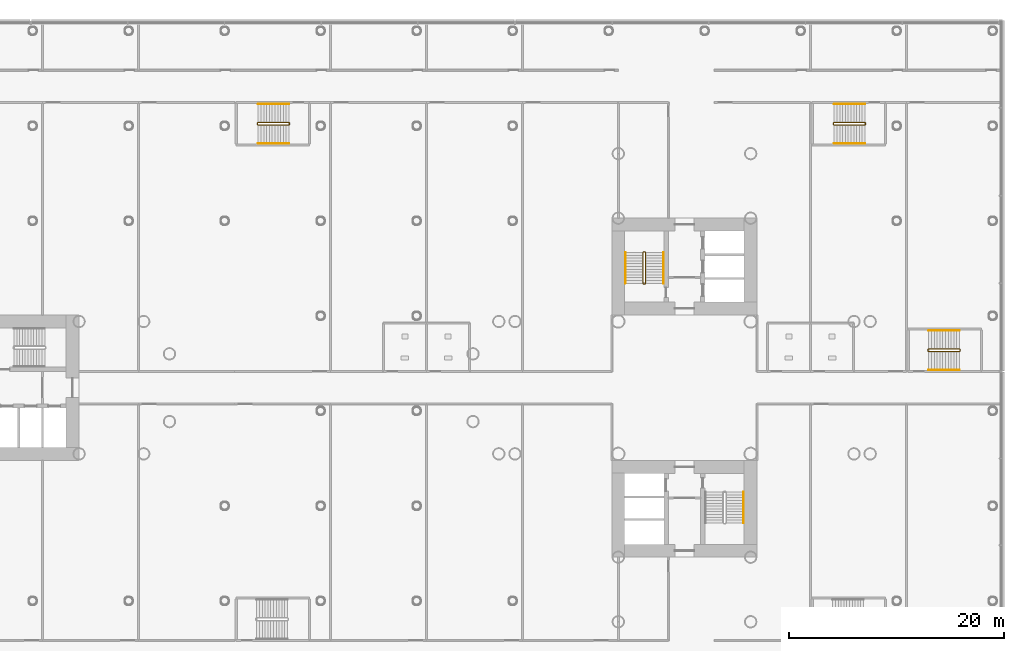
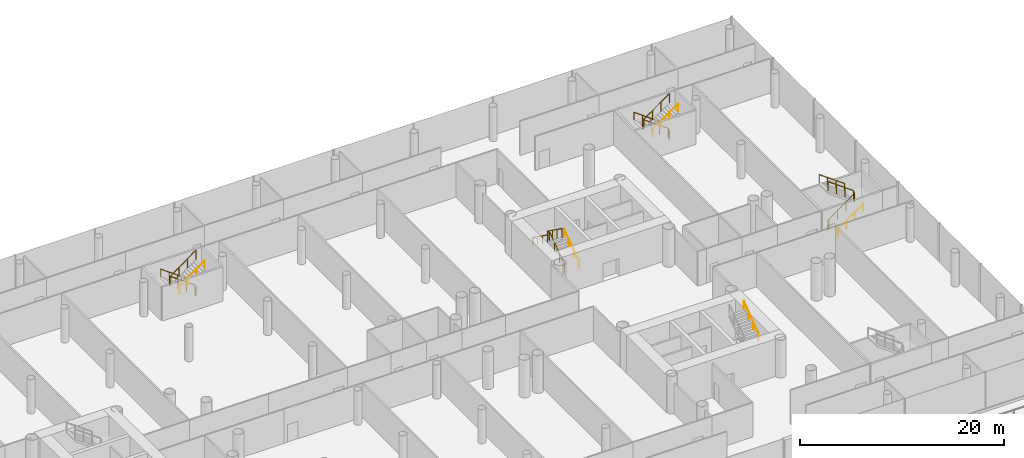
# One storey, part 48 of 49: 13 railings.
"""IFC4 building model written with IfcOpenShell, lengths in metres."""

from ifc_helpers import new_model, si_unit, direction, frame, origin, origin_2d, place, context, subcontext, project, spatial, circle, extrude, material, type_object, element, save


model = new_model("IFC4")

# Units and contexts
model_context = context("Model", 3, precision=1e-05, world=origin(), true_north=direction((0.0, 1.0)))
body_context = subcontext(model_context, "Body", "Model", "MODEL_VIEW")
ifc_project = project(units=[si_unit("LENGTHUNIT", "METRE"), si_unit("AREAUNIT", "SQUARE_METRE"), si_unit("VOLUMEUNIT", "CUBIC_METRE"), si_unit("PLANEANGLEUNIT", "RADIAN"), si_unit("MASSUNIT", "GRAM", prefix="KILO")], contexts=[model_context])

# Site, building, storey
site_placement = place(None, origin())
site = spatial("IfcSite", under=ifc_project, at=site_placement, CompositionType="ELEMENT")
building_placement = place(site_placement, origin())
building = spatial("IfcBuilding", under=site, at=building_placement, Name="Ipe Terrace Towers", CompositionType="ELEMENT")
storey_placement = place(building_placement, frame((0.0, 0.0, 20.0)))
storey = spatial("IfcBuildingStorey", under=building, at=storey_placement, Name="L04", CompositionType="ELEMENT", Elevation=20.0)

# Railings
ifc_material_1 = material(Name="Steel S355", Category="steel")
railing_type_1 = type_object("IfcRailingType", Name="Stair guard 1100", PredefinedType="GUARDRAIL", material=ifc_material_1)
railing_1_placement = place(storey_placement, frame((32.199951171875, 9.64990234375, 0.0)))
element("IfcRailing", 1, at=railing_1_placement, inside=storey, type_object=railing_type_1, Name="L04 T2-ST1 stair guard 1", PredefinedType="GUARDRAIL", context=body_context, shape_type="SweptSolid", body=[
    extrude(circle(Radius=0.02392578125, at=origin_2d()), frame((0.0, 0.0, 1.076171875), z_axis=(1.0, 0.0, 0.0), x_axis=(0.0, 1.0, 0.0)), (0.0, 0.0, 1.0), 0.150146484375),
    extrude(circle(Radius=0.02392578125, at=origin_2d()), frame((0.150146484375, 0.0, 1.076171875), z_axis=(0.248583702486, 0.249802250048, 0.935844527007), x_axis=(-0.708833529934, 0.705375805398, 0.0)), (0.0, 0.0, 1.0), 0.200439453125),
    extrude(circle(Radius=0.02392578125, at=origin_2d()), frame((0.199951171875, 0.050048828125, 1.263671875), z_axis=(0.0, 0.811100754333, 0.584906459462), x_axis=(-1.0, 0.0, 0.0)), (0.0, 0.0, 1.0), 3.526123046875),
    extrude(circle(Radius=0.02392578125, at=origin_2d()), frame((0.199951171875, 2.91015625, 3.326171875), z_axis=(-0.705375805398, 0.708833529934, 0.0), x_axis=(-0.708833529934, -0.705375805398, 0.0)), (0.0, 0.0, 1.0), 0.070556640625),
    extrude(circle(Radius=0.02392578125, at=origin_2d()), frame((0.150146484375, 2.960205078125, 3.326171875), z_axis=(-1.0, 0.0, 0.0), x_axis=(0.0, -1.0, 0.0)), (0.0, 0.0, 1.0), 0.150146484375),
    extrude(circle(Radius=0.02392578125, at=origin_2d()), frame((0.0, 2.960205078125, 3.326171875), z_axis=(-0.249726431254, -0.249726431254, 0.935560483917), x_axis=(0.707106781187, -0.707106781187, 0.0)), (0.0, 0.0, 1.0), 0.200439453125),
    extrude(circle(Radius=0.02392578125, at=origin_2d()), frame((-0.050048828125, 2.91015625, 3.513671875), z_axis=(0.0, -0.811100754333, 0.584906459462), x_axis=(1.0, 0.0, 0.0)), (0.0, 0.0, 1.0), 3.526123046875),
    extrude(circle(Radius=0.02099609375, at=origin_2d()), origin(), (0.0, 0.0, 1.0), 1.052001953125),
    extrude(circle(Radius=0.02099609375, at=origin_2d()), frame((0.150146484375, 0.0, 0.0)), (0.0, 0.0, 1.0), 1.052001953125),
    extrude(circle(Radius=0.02099609375, at=origin_2d()), frame((0.199951171875, 0.050048828125, 0.1875)), (0.0, 0.0, 1.0), 1.052001953125),
    extrude(circle(Radius=0.02099609375, at=origin_2d()), frame((0.199951171875, 1.00341796875, 0.875)), (0.0, 0.0, 1.0), 1.052001953125),
    extrude(circle(Radius=0.02099609375, at=origin_2d()), frame((0.199951171875, 1.956787109375, 1.5625)), (0.0, 0.0, 1.0), 1.052001953125),
    extrude(circle(Radius=0.02099609375, at=origin_2d()), frame((0.199951171875, 2.91015625, 2.25)), (0.0, 0.0, 1.0), 1.052001953125),
    extrude(circle(Radius=0.02099609375, at=origin_2d()), frame((0.150146484375, 2.960205078125, 2.25)), (0.0, 0.0, 1.0), 1.052001953125),
    extrude(circle(Radius=0.02099609375, at=origin_2d()), frame((0.0, 2.960205078125, 2.25)), (0.0, 0.0, 1.0), 1.052001953125),
    extrude(circle(Radius=0.02099609375, at=origin_2d()), frame((-0.050048828125, 2.91015625, 2.4375)), (0.0, 0.0, 1.0), 1.052001953125),
    extrude(circle(Radius=0.02099609375, at=origin_2d()), frame((-0.050048828125, 1.956787109375, 3.125)), (0.0, 0.0, 1.0), 1.052001953125),
    extrude(circle(Radius=0.02099609375, at=origin_2d()), frame((-0.050048828125, 1.00341796875, 3.8125)), (0.0, 0.0, 1.0), 1.052001953125),
    extrude(circle(Radius=0.02099609375, at=origin_2d()), frame((-0.050048828125, 0.050048828125, 4.5)), (0.0, 0.0, 1.0), 1.052001953125),
])
railing_2_placement = place(storey_placement, frame((-0.699951171875, 24.449951171875, 0.0)))
element("IfcRailing", 2, at=railing_2_placement, inside=storey, type_object=railing_type_1, Name="L04 PS2 stair guard 1", PredefinedType="GUARDRAIL", context=body_context, shape_type="SweptSolid", body=[
    extrude(circle(Radius=0.02392578125, at=origin_2d()), frame((0.0, 0.0, 1.076171875), z_axis=(0.0, 1.0, 0.0), x_axis=(-1.0, 0.0, 0.0)), (0.0, 0.0, 1.0), 0.150146484375),
    extrude(circle(Radius=0.02392578125, at=origin_2d()), frame((0.0, 0.150146484375, 1.076171875), z_axis=(-0.249802250048, 0.248583702486, 0.935844527007), x_axis=(-0.705375805398, -0.708833529934, 0.0)), (0.0, 0.0, 1.0), 0.200439453125),
    extrude(circle(Radius=0.02392578125, at=origin_2d()), frame((-0.050048828125, 0.199951171875, 1.263671875), z_axis=(-0.811100754333, 0.0, 0.584906459462), x_axis=(0.0, -1.0, 0.0)), (0.0, 0.0, 1.0), 3.526123046875),
    extrude(circle(Radius=0.02392578125, at=origin_2d()), frame((-2.91015625, 0.199951171875, 3.326171875), z_axis=(-0.707106781187, -0.707106781187, 0.0), x_axis=(0.707106781187, -0.707106781187, 0.0)), (0.0, 0.0, 1.0), 0.0703125),
    extrude(circle(Radius=0.02392578125, at=origin_2d()), frame((-2.9599609375, 0.150146484375, 3.326171875), z_axis=(0.0, -1.0, 0.0), x_axis=(1.0, 0.0, 0.0)), (0.0, 0.0, 1.0), 0.150146484375),
    extrude(circle(Radius=0.02392578125, at=origin_2d()), frame((-2.9599609375, 0.0, 3.326171875), z_axis=(0.248583702486, -0.249802250048, 0.935844527007), x_axis=(0.708833529934, 0.705375805398, 0.0)), (0.0, 0.0, 1.0), 0.200439453125),
    extrude(circle(Radius=0.02392578125, at=origin_2d()), frame((-2.91015625, -0.050048828125, 3.513671875), z_axis=(0.811100754333, 0.0, 0.584906459462), x_axis=(0.0, 1.0, 0.0)), (0.0, 0.0, 1.0), 3.526123046875),
    extrude(circle(Radius=0.02099609375, at=origin_2d()), origin(), (0.0, 0.0, 1.0), 1.052001953125),
    extrude(circle(Radius=0.02099609375, at=origin_2d()), frame((0.0, 0.150146484375, 0.0)), (0.0, 0.0, 1.0), 1.052001953125),
    extrude(circle(Radius=0.02099609375, at=origin_2d()), frame((-0.050048828125, 0.199951171875, 0.1875)), (0.0, 0.0, 1.0), 1.052001953125),
    extrude(circle(Radius=0.02099609375, at=origin_2d()), frame((-1.00341796875, 0.199951171875, 0.875)), (0.0, 0.0, 1.0), 1.052001953125),
    extrude(circle(Radius=0.02099609375, at=origin_2d()), frame((-1.956787109375, 0.199951171875, 1.5625)), (0.0, 0.0, 1.0), 1.052001953125),
    extrude(circle(Radius=0.02099609375, at=origin_2d()), frame((-2.91015625, 0.199951171875, 2.25)), (0.0, 0.0, 1.0), 1.052001953125),
    extrude(circle(Radius=0.02099609375, at=origin_2d()), frame((-2.9599609375, 0.150146484375, 2.25)), (0.0, 0.0, 1.0), 1.052001953125),
    extrude(circle(Radius=0.02099609375, at=origin_2d()), frame((-2.9599609375, 0.0, 2.25)), (0.0, 0.0, 1.0), 1.052001953125),
    extrude(circle(Radius=0.02099609375, at=origin_2d()), frame((-2.91015625, -0.050048828125, 2.4375)), (0.0, 0.0, 1.0), 1.052001953125),
    extrude(circle(Radius=0.02099609375, at=origin_2d()), frame((-1.956787109375, -0.050048828125, 3.125)), (0.0, 0.0, 1.0), 1.052001953125),
    extrude(circle(Radius=0.02099609375, at=origin_2d()), frame((-1.00341796875, -0.050048828125, 3.8125)), (0.0, 0.0, 1.0), 1.052001953125),
    extrude(circle(Radius=0.02099609375, at=origin_2d()), frame((-0.050048828125, -0.050048828125, 4.5)), (0.0, 0.0, 1.0), 1.052001953125),
])
railing_3_placement = place(storey_placement, frame((52.820068359375, 24.449951171875, 0.0)))
element("IfcRailing", 3, at=railing_3_placement, inside=storey, type_object=railing_type_1, Name="L04 PS3 stair guard 1", PredefinedType="GUARDRAIL", context=body_context, shape_type="SweptSolid", body=[
    extrude(circle(Radius=0.02392578125, at=origin_2d()), frame((0.0, 0.0, 1.076171875), z_axis=(0.0, 1.0, 0.0), x_axis=(-1.0, 0.0, 0.0)), (0.0, 0.0, 1.0), 0.150146484375),
    extrude(circle(Radius=0.02392578125, at=origin_2d()), frame((0.0, 0.150146484375, 1.076171875), z_axis=(-0.249802250048, 0.248583702486, 0.935844527007), x_axis=(-0.705375805398, -0.708833529934, 0.0)), (0.0, 0.0, 1.0), 0.200439453125),
    extrude(circle(Radius=0.02392578125, at=origin_2d()), frame((-0.050048828125, 0.199951171875, 1.263671875), z_axis=(-0.811100754333, 0.0, 0.584906459462), x_axis=(0.0, -1.0, 0.0)), (0.0, 0.0, 1.0), 3.526123046875),
    extrude(circle(Radius=0.02392578125, at=origin_2d()), frame((-2.91015625, 0.199951171875, 3.326171875), z_axis=(-0.707106781187, -0.707106781187, 0.0), x_axis=(0.707106781187, -0.707106781187, 0.0)), (0.0, 0.0, 1.0), 0.0703125),
    extrude(circle(Radius=0.02392578125, at=origin_2d()), frame((-2.9599609375, 0.150146484375, 3.326171875), z_axis=(0.0, -1.0, 0.0), x_axis=(1.0, 0.0, 0.0)), (0.0, 0.0, 1.0), 0.150146484375),
    extrude(circle(Radius=0.02392578125, at=origin_2d()), frame((-2.9599609375, 0.0, 3.326171875), z_axis=(0.248583702486, -0.249802250048, 0.935844527007), x_axis=(0.708833529934, 0.705375805398, 0.0)), (0.0, 0.0, 1.0), 0.200439453125),
    extrude(circle(Radius=0.02392578125, at=origin_2d()), frame((-2.91015625, -0.050048828125, 3.513671875), z_axis=(0.811100754333, 0.0, 0.584906459462), x_axis=(0.0, 1.0, 0.0)), (0.0, 0.0, 1.0), 3.526123046875),
    extrude(circle(Radius=0.02099609375, at=origin_2d()), origin(), (0.0, 0.0, 1.0), 1.052001953125),
    extrude(circle(Radius=0.02099609375, at=origin_2d()), frame((0.0, 0.150146484375, 0.0)), (0.0, 0.0, 1.0), 1.052001953125),
    extrude(circle(Radius=0.02099609375, at=origin_2d()), frame((-0.050048828125, 0.199951171875, 0.1875)), (0.0, 0.0, 1.0), 1.052001953125),
    extrude(circle(Radius=0.02099609375, at=origin_2d()), frame((-1.00341796875, 0.199951171875, 0.875)), (0.0, 0.0, 1.0), 1.052001953125),
    extrude(circle(Radius=0.02099609375, at=origin_2d()), frame((-1.956787109375, 0.199951171875, 1.5625)), (0.0, 0.0, 1.0), 1.052001953125),
    extrude(circle(Radius=0.02099609375, at=origin_2d()), frame((-2.91015625, 0.199951171875, 2.25)), (0.0, 0.0, 1.0), 1.052001953125),
    extrude(circle(Radius=0.02099609375, at=origin_2d()), frame((-2.9599609375, 0.150146484375, 2.25)), (0.0, 0.0, 1.0), 1.052001953125),
    extrude(circle(Radius=0.02099609375, at=origin_2d()), frame((-2.9599609375, 0.0, 2.25)), (0.0, 0.0, 1.0), 1.052001953125),
    extrude(circle(Radius=0.02099609375, at=origin_2d()), frame((-2.91015625, -0.050048828125, 2.4375)), (0.0, 0.0, 1.0), 1.052001953125),
    extrude(circle(Radius=0.02099609375, at=origin_2d()), frame((-1.956787109375, -0.050048828125, 3.125)), (0.0, 0.0, 1.0), 1.052001953125),
    extrude(circle(Radius=0.02099609375, at=origin_2d()), frame((-1.00341796875, -0.050048828125, 3.8125)), (0.0, 0.0, 1.0), 1.052001953125),
    extrude(circle(Radius=0.02099609375, at=origin_2d()), frame((-0.050048828125, -0.050048828125, 4.5)), (0.0, 0.0, 1.0), 1.052001953125),
])
railing_4_placement = place(storey_placement, frame((58.639892578125, 3.550048828125, 0.0)))
element("IfcRailing", 4, at=railing_4_placement, inside=storey, type_object=railing_type_1, Name="L04 PS8 stair guard 1", PredefinedType="GUARDRAIL", context=body_context, shape_type="SweptSolid", body=[
    extrude(circle(Radius=0.02392578125, at=origin_2d()), frame((0.0, 0.0, 1.076171875), z_axis=(0.0, -1.0, 0.0), x_axis=(1.0, 0.0, 0.0)), (0.0, 0.0, 1.0), 0.150146484375),
    extrude(circle(Radius=0.02392578125, at=origin_2d()), frame((0.0, -0.150146484375, 1.076171875), z_axis=(0.249802250048, -0.248583702486, 0.935844527007), x_axis=(0.705375805398, 0.708833529934, 0.0)), (0.0, 0.0, 1.0), 0.200439453125),
    extrude(circle(Radius=0.02392578125, at=origin_2d()), frame((0.050048828125, -0.199951171875, 1.263671875), z_axis=(0.811100754333, 0.0, 0.584906459462), x_axis=(0.0, 1.0, 0.0)), (0.0, 0.0, 1.0), 3.526123046875),
    extrude(circle(Radius=0.02392578125, at=origin_2d()), frame((2.91015625, -0.199951171875, 3.326171875), z_axis=(0.708833529934, 0.705375805398, 0.0), x_axis=(-0.705375805398, 0.708833529934, 0.0)), (0.0, 0.0, 1.0), 0.070556640625),
    extrude(circle(Radius=0.02392578125, at=origin_2d()), frame((2.960205078125, -0.150146484375, 3.326171875), z_axis=(0.0, 1.0, 0.0), x_axis=(-1.0, 0.0, 0.0)), (0.0, 0.0, 1.0), 0.150146484375),
    extrude(circle(Radius=0.02392578125, at=origin_2d()), frame((2.960205078125, 0.0, 3.326171875), z_axis=(-0.249726431254, 0.249726431254, 0.935560483917), x_axis=(-0.707106781187, -0.707106781187, 0.0)), (0.0, 0.0, 1.0), 0.200439453125),
    extrude(circle(Radius=0.02392578125, at=origin_2d()), frame((2.91015625, 0.050048828125, 3.513671875), z_axis=(-0.811100754333, 0.0, 0.584906459462), x_axis=(0.0, -1.0, 0.0)), (0.0, 0.0, 1.0), 3.526123046875),
    extrude(circle(Radius=0.02099609375, at=origin_2d()), origin(), (0.0, 0.0, 1.0), 1.052001953125),
    extrude(circle(Radius=0.02099609375, at=origin_2d()), frame((0.0, -0.150146484375, 0.0)), (0.0, 0.0, 1.0), 1.052001953125),
    extrude(circle(Radius=0.02099609375, at=origin_2d()), frame((0.050048828125, -0.199951171875, 0.1875)), (0.0, 0.0, 1.0), 1.052001953125),
    extrude(circle(Radius=0.02099609375, at=origin_2d()), frame((1.00341796875, -0.199951171875, 0.875)), (0.0, 0.0, 1.0), 1.052001953125),
    extrude(circle(Radius=0.02099609375, at=origin_2d()), frame((1.956787109375, -0.199951171875, 1.5625)), (0.0, 0.0, 1.0), 1.052001953125),
    extrude(circle(Radius=0.02099609375, at=origin_2d()), frame((2.91015625, -0.199951171875, 2.25)), (0.0, 0.0, 1.0), 1.052001953125),
    extrude(circle(Radius=0.02099609375, at=origin_2d()), frame((2.960205078125, -0.150146484375, 2.25)), (0.0, 0.0, 1.0), 1.052001953125),
    extrude(circle(Radius=0.02099609375, at=origin_2d()), frame((2.960205078125, 0.0, 2.25)), (0.0, 0.0, 1.0), 1.052001953125),
    extrude(circle(Radius=0.02099609375, at=origin_2d()), frame((2.91015625, 0.050048828125, 2.4375)), (0.0, 0.0, 1.0), 1.052001953125),
    extrude(circle(Radius=0.02099609375, at=origin_2d()), frame((1.956787109375, 0.050048828125, 3.125)), (0.0, 0.0, 1.0), 1.052001953125),
    extrude(circle(Radius=0.02099609375, at=origin_2d()), frame((1.00341796875, 0.050048828125, 3.8125)), (0.0, 0.0, 1.0), 1.052001953125),
    extrude(circle(Radius=0.02099609375, at=origin_2d()), frame((0.050048828125, 0.050048828125, 4.5)), (0.0, 0.0, 1.0), 1.052001953125),
])
ifc_material_2 = material(Name="Stainless steel grade 304", Category="steel")
railing_type_2 = type_object("IfcRailingType", Name="Stair handrail 900", PredefinedType="HANDRAIL", material=ifc_material_2)
railing_5_placement = place(storey_placement, frame((34.050048828125, 9.699951171875, 0.1875)))
element("IfcRailing", 5, at=railing_5_placement, inside=storey, type_object=railing_type_2, Name="L04 T2-ST1 stair handrail 1", PredefinedType="HANDRAIL", context=body_context, shape_type="SweptSolid", body=[
    extrude(circle(Radius=0.02392578125, at=origin_2d()), frame((0.0, 0.0, 0.8759765625), z_axis=(0.0, 0.811100754333, 0.584906459462), x_axis=(-1.0, 0.0, 0.0)), (0.0, 0.0, 1.0), 3.526123046875),
    extrude(circle(Radius=0.02099609375, at=origin_2d()), origin(), (0.0, 0.0, 1.0), 0.851806640625),
    extrude(circle(Radius=0.02099609375, at=origin_2d()), frame((0.0, 0.953369140625, 0.6875)), (0.0, 0.0, 1.0), 0.851806640625),
    extrude(circle(Radius=0.02099609375, at=origin_2d()), frame((0.0, 1.90673828125, 1.375)), (0.0, 0.0, 1.0), 0.851806640625),
    extrude(circle(Radius=0.02099609375, at=origin_2d()), frame((0.0, 2.860107421875, 2.0625)), (0.0, 0.0, 1.0), 0.851806640625),
])
railing_6_placement = place(storey_placement, frame((30.5, 12.56005859375, 2.4375)))
element("IfcRailing", 6, at=railing_6_placement, inside=storey, type_object=railing_type_2, Name="L04 T2-ST1 stair handrail 2", PredefinedType="HANDRAIL", context=body_context, shape_type="SweptSolid", body=[
    extrude(circle(Radius=0.02392578125, at=origin_2d()), frame((0.0, 0.0, 0.8759765625), z_axis=(0.0, -0.811100754333, 0.584906459462), x_axis=(1.0, 0.0, 0.0)), (0.0, 0.0, 1.0), 3.526123046875),
    extrude(circle(Radius=0.02099609375, at=origin_2d()), origin(), (0.0, 0.0, 1.0), 0.851806640625),
    extrude(circle(Radius=0.02099609375, at=origin_2d()), frame((0.0, -0.953369140625, 0.6875)), (0.0, 0.0, 1.0), 0.851806640625),
    extrude(circle(Radius=0.02099609375, at=origin_2d()), frame((0.0, -1.90673828125, 1.375)), (0.0, 0.0, 1.0), 0.851806640625),
    extrude(circle(Radius=0.02099609375, at=origin_2d()), frame((0.0, -2.860107421875, 2.0625)), (0.0, 0.0, 1.0), 0.851806640625),
])
railing_7_placement = place(storey_placement, frame((41.5, -12.56005859375, 2.4375)))
element("IfcRailing", 7, at=railing_7_placement, inside=storey, type_object=railing_type_2, Name="L04 T2-ST2 stair handrail 2", PredefinedType="HANDRAIL", context=body_context, shape_type="SweptSolid", body=[
    extrude(circle(Radius=0.02392578125, at=origin_2d()), frame((0.0, 0.0, 0.8759765625), z_axis=(0.0, 0.811100754333, 0.584906459462), x_axis=(-1.0, 0.0, 0.0)), (0.0, 0.0, 1.0), 3.526123046875),
    extrude(circle(Radius=0.02099609375, at=origin_2d()), origin(), (0.0, 0.0, 1.0), 0.851806640625),
    extrude(circle(Radius=0.02099609375, at=origin_2d()), frame((0.0, 0.953369140625, 0.6875)), (0.0, 0.0, 1.0), 0.851806640625),
    extrude(circle(Radius=0.02099609375, at=origin_2d()), frame((0.0, 1.90673828125, 1.375)), (0.0, 0.0, 1.0), 0.851806640625),
    extrude(circle(Radius=0.02099609375, at=origin_2d()), frame((0.0, 2.860107421875, 2.0625)), (0.0, 0.0, 1.0), 0.851806640625),
])
railing_8_placement = place(storey_placement, frame((-0.75, 26.35009765625, 0.1875)))
element("IfcRailing", 8, at=railing_8_placement, inside=storey, type_object=railing_type_2, Name="L04 PS2 stair handrail 1", PredefinedType="HANDRAIL", context=body_context, shape_type="SweptSolid", body=[
    extrude(circle(Radius=0.02392578125, at=origin_2d()), frame((0.0, 0.0, 0.8759765625), z_axis=(-0.811100754333, 0.0, 0.584906459462), x_axis=(0.0, -1.0, 0.0)), (0.0, 0.0, 1.0), 3.526123046875),
    extrude(circle(Radius=0.02099609375, at=origin_2d()), origin(), (0.0, 0.0, 1.0), 0.851806640625),
    extrude(circle(Radius=0.02099609375, at=origin_2d()), frame((-0.953369140625, 0.0, 0.6875)), (0.0, 0.0, 1.0), 0.851806640625),
    extrude(circle(Radius=0.02099609375, at=origin_2d()), frame((-1.90673828125, 0.0, 1.375)), (0.0, 0.0, 1.0), 0.851806640625),
    extrude(circle(Radius=0.02099609375, at=origin_2d()), frame((-2.860107421875, 0.0, 2.0625)), (0.0, 0.0, 1.0), 0.851806640625),
])
railing_9_placement = place(storey_placement, frame((-3.610107421875, 22.699951171875, 2.4375)))
element("IfcRailing", 9, at=railing_9_placement, inside=storey, type_object=railing_type_2, Name="L04 PS2 stair handrail 2", PredefinedType="HANDRAIL", context=body_context, shape_type="SweptSolid", body=[
    extrude(circle(Radius=0.02392578125, at=origin_2d()), frame((0.0, 0.0, 0.8759765625), z_axis=(0.811100754333, 0.0, 0.584906459462), x_axis=(0.0, 1.0, 0.0)), (0.0, 0.0, 1.0), 3.526123046875),
    extrude(circle(Radius=0.02099609375, at=origin_2d()), origin(), (0.0, 0.0, 1.0), 0.851806640625),
    extrude(circle(Radius=0.02099609375, at=origin_2d()), frame((0.953369140625, 0.0, 0.6875)), (0.0, 0.0, 1.0), 0.851806640625),
    extrude(circle(Radius=0.02099609375, at=origin_2d()), frame((1.90673828125, 0.0, 1.375)), (0.0, 0.0, 1.0), 0.851806640625),
    extrude(circle(Radius=0.02099609375, at=origin_2d()), frame((2.860107421875, 0.0, 2.0625)), (0.0, 0.0, 1.0), 0.851806640625),
])
railing_10_placement = place(storey_placement, frame((52.77001953125, 26.35009765625, 0.1875)))
element("IfcRailing", 10, at=railing_10_placement, inside=storey, type_object=railing_type_2, Name="L04 PS3 stair handrail 1", PredefinedType="HANDRAIL", context=body_context, shape_type="SweptSolid", body=[
    extrude(circle(Radius=0.02392578125, at=origin_2d()), frame((0.0, 0.0, 0.8759765625), z_axis=(-0.811100754333, 0.0, 0.584906459462), x_axis=(0.0, -1.0, 0.0)), (0.0, 0.0, 1.0), 3.526123046875),
    extrude(circle(Radius=0.02099609375, at=origin_2d()), origin(), (0.0, 0.0, 1.0), 0.851806640625),
    extrude(circle(Radius=0.02099609375, at=origin_2d()), frame((-0.953369140625, 0.0, 0.6875)), (0.0, 0.0, 1.0), 0.851806640625),
    extrude(circle(Radius=0.02099609375, at=origin_2d()), frame((-1.90673828125, 0.0, 1.375)), (0.0, 0.0, 1.0), 0.851806640625),
    extrude(circle(Radius=0.02099609375, at=origin_2d()), frame((-2.860107421875, 0.0, 2.0625)), (0.0, 0.0, 1.0), 0.851806640625),
])
for number, where, name in (
    (11, (49.909912109375, 22.699951171875, 2.4375), "L04 PS3 stair handrail 2"),
    (12, (58.68994140625, 1.64990234375, 0.1875), "L04 PS8 stair handrail 1"),
):
    element("IfcRailing", number, at=place(storey_placement, frame(where)), inside=storey, type_object=railing_type_2, Name=name, PredefinedType="HANDRAIL", context=body_context, shape_type="SweptSolid", body=[
        extrude(circle(Radius=0.02392578125, at=origin_2d()), frame((0.0, 0.0, 0.8759765625), z_axis=(0.811100754333, 0.0, 0.584906459462), x_axis=(0.0, 1.0, 0.0)), (0.0, 0.0, 1.0), 3.526123046875),
        extrude(circle(Radius=0.02099609375, at=origin_2d()), origin(), (0.0, 0.0, 1.0), 0.851806640625),
        extrude(circle(Radius=0.02099609375, at=origin_2d()), frame((0.953369140625, 0.0, 0.6875)), (0.0, 0.0, 1.0), 0.851806640625),
        extrude(circle(Radius=0.02099609375, at=origin_2d()), frame((1.90673828125, 0.0, 1.375)), (0.0, 0.0, 1.0), 0.851806640625),
        extrude(circle(Radius=0.02099609375, at=origin_2d()), frame((2.860107421875, 0.0, 2.0625)), (0.0, 0.0, 1.0), 0.851806640625),
    ])
railing_11_placement = place(storey_placement, frame((61.550048828125, 5.300048828125, 2.4375)))
element("IfcRailing", 13, at=railing_11_placement, inside=storey, type_object=railing_type_2, Name="L04 PS8 stair handrail 2", PredefinedType="HANDRAIL", context=body_context, shape_type="SweptSolid", body=[
    extrude(circle(Radius=0.02392578125, at=origin_2d()), frame((0.0, 0.0, 0.8759765625), z_axis=(-0.811100754333, 0.0, 0.584906459462), x_axis=(0.0, -1.0, 0.0)), (0.0, 0.0, 1.0), 3.526123046875),
    extrude(circle(Radius=0.02099609375, at=origin_2d()), origin(), (0.0, 0.0, 1.0), 0.851806640625),
    extrude(circle(Radius=0.02099609375, at=origin_2d()), frame((-0.953369140625, 0.0, 0.6875)), (0.0, 0.0, 1.0), 0.851806640625),
    extrude(circle(Radius=0.02099609375, at=origin_2d()), frame((-1.90673828125, 0.0, 1.375)), (0.0, 0.0, 1.0), 0.851806640625),
    extrude(circle(Radius=0.02099609375, at=origin_2d()), frame((-2.860107421875, 0.0, 2.0625)), (0.0, 0.0, 1.0), 0.851806640625),
])

save(model, "model.ifc")
